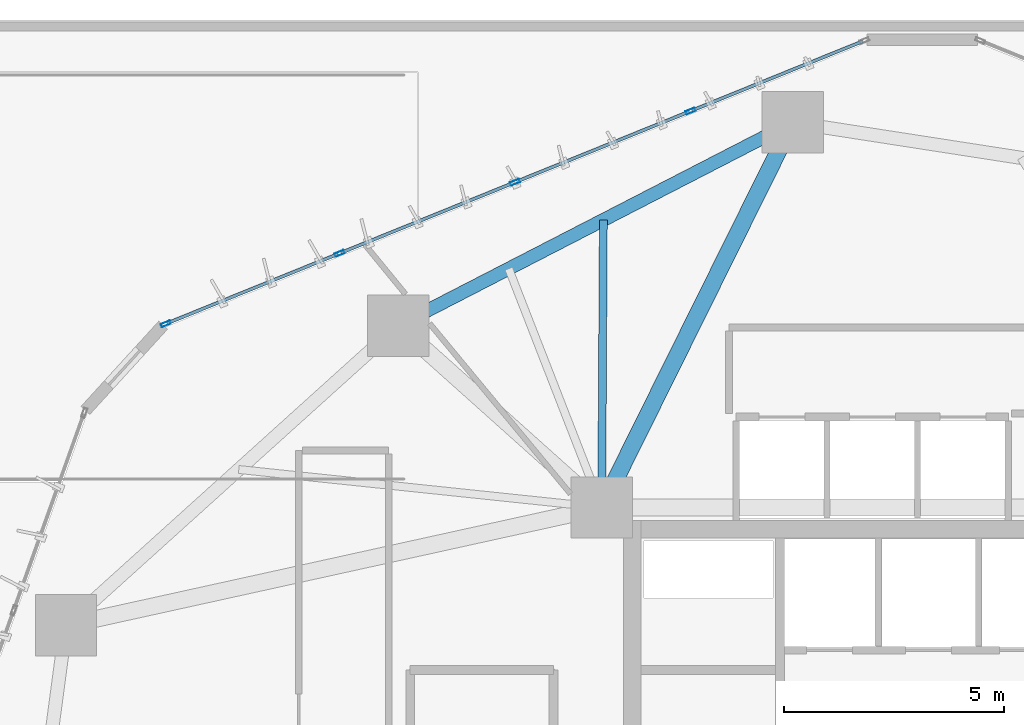
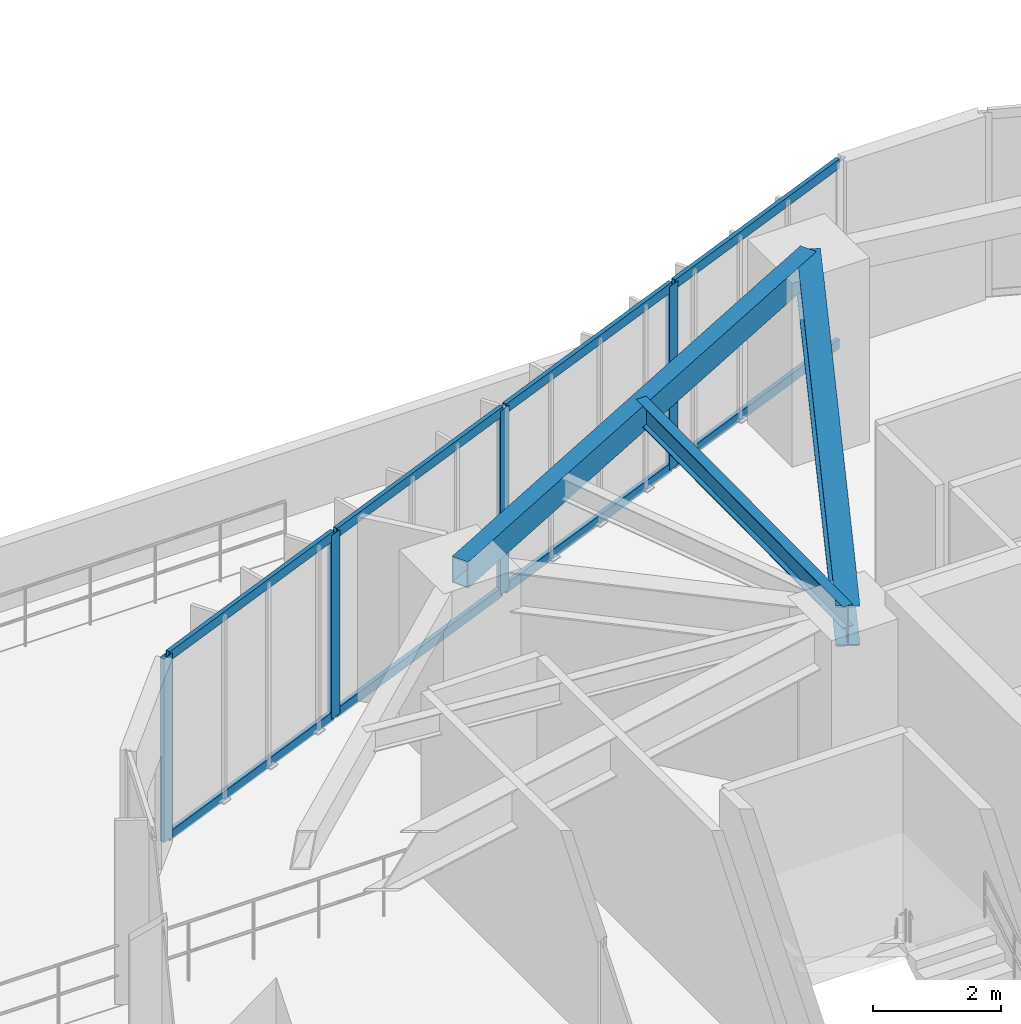
# One storey, part 14 of 23: 12 members, 3 beams, 1 element without a shape of its own.
"""IFC4 building model written with IfcOpenShell, lengths in metres."""

from ifc_helpers import new_model, si_unit, direction, frame, origin, origin_2d, place, context, subcontext, project, spatial, hollow_rectangle, i_section, extrude, source, transform, mapped, material, layer, layer_set, material_profile, profile_set, type_object, type_shapes, element, aggregate, save


model = new_model("IFC4")

# Units and contexts
model_context = context("Model", 3, precision=1e-05, world=origin(), true_north=direction((0.0, 1.0)))
body_context = subcontext(model_context, "Body", "Model", "MODEL_VIEW")
ifc_project = project(units=[si_unit("LENGTHUNIT", "METRE"), si_unit("AREAUNIT", "SQUARE_METRE"), si_unit("VOLUMEUNIT", "CUBIC_METRE"), si_unit("PLANEANGLEUNIT", "RADIAN"), si_unit("MASSUNIT", "GRAM", prefix="KILO")], contexts=[model_context])

# Site, building, storey
site_placement = place(None, origin())
site = spatial("IfcSite", under=ifc_project, at=site_placement, CompositionType="ELEMENT")
building_placement = place(site_placement, origin())
building = spatial("IfcBuilding", under=site, at=building_placement, Name="Talar Marvaseh", CompositionType="ELEMENT")
storey_placement = place(building_placement, frame((0.0, 0.0, 24.0)))
storey = spatial("IfcBuildingStorey", under=building, at=storey_placement, Name="L05", CompositionType="ELEMENT", Elevation=24.0)

# Beams
ifc_material_1 = material(Name="Steel S355", Category="steel")
ifc_material_profile_1 = material_profile(ifc_material_1, hollow_rectangle(XDim=0.300048828125, YDim=0.5, WallThickness=0.02001953125, at=origin_2d()), Name="RHS500x300x20")
ifc_profile_set_1 = profile_set([ifc_material_profile_1], Name="Steel S355")
beam_type_1 = type_object("IfcBeamType", Name="Zone 1 Perimeter Spandrel Beam RHS500x300x20", PredefinedType="SPANDREL", material=ifc_profile_set_1)
beam_1_placement = place(storey_placement, frame((14.069091796875, 41.04296875, 3.27001953125), z_axis=(0.889015710182, 0.457876694155, 0.0), x_axis=(-0.457876694155, 0.889015710182, 0.0)))
element("IfcBeam", 1, at=beam_1_placement, inside=storey, type_object=beam_type_1, Name="L05 Zone 1 Perimeter Spandrel Beam RHS500x300x20", PredefinedType="SPANDREL", context=body_context, shape_type="SweptSolid", body=[
    extrude(hollow_rectangle(XDim=0.300048828125, YDim=0.5, WallThickness=0.02001953125, at=origin_2d()), origin(), (0.0, 0.0, 1.0), 10.098876953125),
])
ifc_material_profile_2 = material_profile(ifc_material_1, i_section(OverallWidth=0.381103515625, OverallDepth=0.77294921875, WebThickness=0.0166015625, FlangeThickness=0.027099609375, at=origin_2d()), Name="W760x257")
ifc_profile_set_2 = profile_set([ifc_material_profile_2], Name="Steel S355")
beam_type_2 = type_object("IfcBeamType", Name="Zone 1 Radial Floor Girder W760x257", PredefinedType="BEAM", material=ifc_profile_set_2)
beam_2_placement = place(storey_placement, frame((23.047119140625, 45.6669921875, 3.133544921875), z_axis=(-0.444237233911, -0.895909191831, 0.0), x_axis=(0.895909191831, -0.444237233911, 0.0)))
element("IfcBeam", 2, at=beam_2_placement, inside=storey, type_object=beam_type_2, Name="L05 Zone 1 Radial Floor Girder W760x257", PredefinedType="BEAM", context=body_context, shape_type="SweptSolid", body=[
    extrude(i_section(OverallWidth=0.381103515625, OverallDepth=0.77294921875, WebThickness=0.0166015625, FlangeThickness=0.027099609375, at=origin_2d()), origin(), (0.0, 0.0, 1.0), 9.78564453125),
])
ifc_material_profile_3 = material_profile(ifc_material_1, i_section(OverallWidth=0.179931640625, OverallDepth=0.4130859375, WebThickness=0.009765625, FlangeThickness=0.01611328125, at=origin_2d()), Name="W410x75")
ifc_profile_set_3 = profile_set([ifc_material_profile_3], Name="Steel S355")
beam_type_3 = type_object("IfcBeamType", Name="Zone 1 Secondary Floor Joist W410x75", PredefinedType="JOIST", material=ifc_profile_set_3)
beam_3_placement = place(storey_placement, frame((18.737548828125, 43.447509765625, 3.3134765625), z_axis=(-0.00574210303, -0.999983513991, 0.0), x_axis=(0.999983513991, -0.00574210303, 0.0)))
element("IfcBeam", 3, at=beam_3_placement, inside=storey, type_object=beam_type_3, Name="L05 Zone 1 Secondary Floor Joist W410x75", PredefinedType="JOIST", context=body_context, shape_type="SweptSolid", body=[
    extrude(i_section(OverallWidth=0.179931640625, OverallDepth=0.4130859375, WebThickness=0.009765625, FlangeThickness=0.01611328125, at=origin_2d()), origin(), (0.0, 0.0, 1.0), 6.547607421875),
])

# Curtain wall, members
ifc_material_2 = material(Name="Architectural Aluminium", Category="aluminium")
ifc_layer = layer(ifc_material_2, 0.219970703125)
ifc_layer_set = layer_set([ifc_layer], Name="Architectural Aluminium")
curtain_wall_type = type_object("IfcCurtainWallType", Name="Unitised Low-E Museum Curtain Wall Z1", PredefinedType="NOTDEFINED", material=ifc_layer_set)
curtain_wall_placement = place(storey_placement, origin())
curtain_wall = element("IfcCurtainWall", 4, at=curtain_wall_placement, inside=storey, type_object=curtain_wall_type, Name="L05 Unitised Low-E Museum Curtain Wall Z1", PredefinedType="NOTDEFINED")
ifc_material_profile_4 = material_profile(ifc_material_2, hollow_rectangle(XDim=0.080078125, YDim=0.219970703125, WallThickness=0.0048828125, at=origin_2d()), Name="RHS220x80x5")
ifc_profile_set_4 = profile_set([ifc_material_profile_4], Name="Architectural Aluminium")
member_type_1 = type_object("IfcMemberType", Name="Unitised Curtain Wall Heavy Mullion RHS220x80x5", PredefinedType="MULLION", material=ifc_profile_set_4)
shared_shape_1 = source(origin(), body_context, "Body", "SweptSolid", [
    extrude(hollow_rectangle(XDim=0.080078125, YDim=0.219970703125, WallThickness=0.0048828125, at=origin_2d()), origin(), (0.0, 0.0, 1.0), 3.52001953125),
])
type_shapes(member_type_1, [shared_shape_1])
member_1_placement = place(storey_placement, frame((8.7724609375, 41.08056640625, 0.0), z_axis=(0.0, 0.0, 1.0), x_axis=(-0.375705108733, 0.926739268226, 0.0)))
member_1 = element("IfcMember", 5, at=member_1_placement, type_object=member_type_1, Name="CW-Z1 mullion 1", PredefinedType="MULLION", context=body_context, shape_type="MappedRepresentation", body=[
    mapped(shared_shape_1, transform((0.0, 0.0, 0.0), x_axis=(1.0, 0.0, 0.0), y_axis=(0.0, 1.0, 0.0), z_axis=(0.0, 0.0, 1.0), scale=1.0)),
])
member_2_placement = place(storey_placement, frame((12.7314453125, 42.685546875, 0.0), z_axis=(0.0, 0.0, 1.0), x_axis=(-0.375705108733, 0.926739268226, 0.0)))
member_2 = element("IfcMember", 6, at=member_2_placement, type_object=member_type_1, Name="CW-Z1 mullion 2", PredefinedType="MULLION", context=body_context, shape_type="MappedRepresentation", body=[
    mapped(shared_shape_1, transform((0.0, 0.0, 0.0), x_axis=(1.0, 0.0, 0.0), y_axis=(0.0, 1.0, 0.0), z_axis=(0.0, 0.0, 1.0), scale=1.0)),
])
member_3_placement = place(storey_placement, frame((16.7275390625, 44.3056640625, 0.0), z_axis=(0.0, 0.0, 1.0), x_axis=(-0.375705108733, 0.926739268226, 0.0)))
member_3 = element("IfcMember", 7, at=member_3_placement, type_object=member_type_1, Name="CW-Z1 mullion 3", PredefinedType="MULLION", context=body_context, shape_type="MappedRepresentation", body=[
    mapped(shared_shape_1, transform((0.0, 0.0, 0.0), x_axis=(1.0, 0.0, 0.0), y_axis=(0.0, 1.0, 0.0), z_axis=(0.0, 0.0, 1.0), scale=1.0)),
])
member_4_placement = place(storey_placement, frame((20.723388671875, 45.925537109375, 0.0), z_axis=(0.0, 0.0, 1.0), x_axis=(-0.375705108733, 0.926739268226, 0.0)))
member_4 = element("IfcMember", 8, at=member_4_placement, type_object=member_type_1, Name="CW-Z1 mullion 4", PredefinedType="MULLION", context=body_context, shape_type="MappedRepresentation", body=[
    mapped(shared_shape_1, transform((0.0, 0.0, 0.0), x_axis=(1.0, 0.0, 0.0), y_axis=(0.0, 1.0, 0.0), z_axis=(0.0, 0.0, 1.0), scale=1.0)),
])
ifc_material_profile_5 = material_profile(ifc_material_2, hollow_rectangle(XDim=0.074951171875, YDim=0.179931640625, WallThickness=0.0048828125, at=origin_2d()), Name="RHS180x75x5")
ifc_profile_set_5 = profile_set([ifc_material_profile_5], Name="Architectural Aluminium")
member_type_2 = type_object("IfcMemberType", Name="Unitised Curtain Wall Transom RHS180x75x5", PredefinedType="USERDEFINED", material=ifc_profile_set_5)
shared_shape_2 = source(origin(), body_context, "Body", "SweptSolid", [
    extrude(hollow_rectangle(XDim=0.074951171875, YDim=0.179931640625, WallThickness=0.0048828125, at=origin_2d()), origin(), (0.0, 0.0, 1.0), 4.19189453125),
])
member_5_placement = place(storey_placement, frame((8.8095703125, 41.095703125, 0.03759765625), z_axis=(0.926735431704, 0.375714572016, 0.0), x_axis=(-0.375714572016, 0.926735431704, 0.0)))
member_5 = element("IfcMember", 9, at=member_5_placement, type_object=member_type_2, Name="CW-Z1 transom 1.1", ObjectType="TRANSOM", PredefinedType="USERDEFINED", context=body_context, shape_type="MappedRepresentation", body=[
    mapped(shared_shape_2, transform((0.0, 0.0, 0.0), x_axis=(1.0, 0.0, 0.0), y_axis=(0.0, 1.0, 0.0), z_axis=(0.0, 0.0, 1.0), scale=1.0)),
])
member_6_placement = place(storey_placement, frame((8.8095703125, 41.095703125, 3.482421875), z_axis=(0.926735431704, 0.375714572016, 0.0), x_axis=(-0.375714572016, 0.926735431704, 0.0)))
member_6 = element("IfcMember", 10, at=member_6_placement, type_object=member_type_2, Name="CW-Z1 transom 1.2", ObjectType="TRANSOM", PredefinedType="USERDEFINED", context=body_context, shape_type="MappedRepresentation", body=[
    mapped(shared_shape_2, transform((0.0, 0.0, 0.0), x_axis=(1.0, 0.0, 0.0), y_axis=(0.0, 1.0, 0.0), z_axis=(0.0, 0.0, 1.0), scale=1.0)),
])
member_7_placement = place(storey_placement, frame((20.760498046875, 45.940673828125, 0.03759765625), z_axis=(0.926735431704, 0.375714572016, 0.0), x_axis=(-0.375714572016, 0.926735431704, 0.0)))
member_7 = element("IfcMember", 11, at=member_7_placement, type_object=member_type_2, Name="CW-Z1 transom 4.1", ObjectType="TRANSOM", PredefinedType="USERDEFINED", context=body_context, shape_type="MappedRepresentation", body=[
    mapped(shared_shape_2, transform((0.0, 0.0, 0.0), x_axis=(1.0, 0.0, 0.0), y_axis=(0.0, 1.0, 0.0), z_axis=(0.0, 0.0, 1.0), scale=1.0)),
])
member_8_placement = place(storey_placement, frame((20.760498046875, 45.940673828125, 3.482421875), z_axis=(0.926735431704, 0.375714572016, 0.0), x_axis=(-0.375714572016, 0.926735431704, 0.0)))
member_8 = element("IfcMember", 12, at=member_8_placement, type_object=member_type_2, Name="CW-Z1 transom 4.2", ObjectType="TRANSOM", PredefinedType="USERDEFINED", context=body_context, shape_type="MappedRepresentation", body=[
    mapped(shared_shape_2, transform((0.0, 0.0, 0.0), x_axis=(1.0, 0.0, 0.0), y_axis=(0.0, 1.0, 0.0), z_axis=(0.0, 0.0, 1.0), scale=1.0)),
])
shared_shape_3 = source(origin(), body_context, "Body", "SweptSolid", [
    extrude(hollow_rectangle(XDim=0.074951171875, YDim=0.179931640625, WallThickness=0.0048828125, at=origin_2d()), origin(), (0.0, 0.0, 1.0), 4.23193359375),
])
type_shapes(member_type_2, [shared_shape_2, shared_shape_3])
member_9_placement = place(storey_placement, frame((12.7685546875, 42.70068359375, 0.03759765625), z_axis=(0.926747954197, 0.375683682627, 0.0), x_axis=(-0.375683682627, 0.926747954197, 0.0)))
member_9 = element("IfcMember", 13, at=member_9_placement, type_object=member_type_2, Name="CW-Z1 transom 2.1", ObjectType="TRANSOM", PredefinedType="USERDEFINED", context=body_context, shape_type="MappedRepresentation", body=[
    mapped(shared_shape_3, transform((0.0, 0.0, 0.0), x_axis=(1.0, 0.0, 0.0), y_axis=(0.0, 1.0, 0.0), z_axis=(0.0, 0.0, 1.0), scale=1.0)),
])
member_10_placement = place(storey_placement, frame((12.7685546875, 42.70068359375, 3.482421875), z_axis=(0.926747954197, 0.375683682627, 0.0), x_axis=(-0.375683682627, 0.926747954197, 0.0)))
member_10 = element("IfcMember", 14, at=member_10_placement, type_object=member_type_2, Name="CW-Z1 transom 2.2", ObjectType="TRANSOM", PredefinedType="USERDEFINED", context=body_context, shape_type="MappedRepresentation", body=[
    mapped(shared_shape_3, transform((0.0, 0.0, 0.0), x_axis=(1.0, 0.0, 0.0), y_axis=(0.0, 1.0, 0.0), z_axis=(0.0, 0.0, 1.0), scale=1.0)),
])
member_11_placement = place(storey_placement, frame((16.7646484375, 44.320556640625, 0.03759765625), z_axis=(0.926727867379, 0.375733229597, 0.0), x_axis=(-0.375733229597, 0.926727867379, 0.0)))
member_11 = element("IfcMember", 15, at=member_11_placement, type_object=member_type_2, Name="CW-Z1 transom 3.1", ObjectType="TRANSOM", PredefinedType="USERDEFINED", context=body_context, shape_type="MappedRepresentation", body=[
    mapped(shared_shape_3, transform((0.0, 0.0, 0.0), x_axis=(1.0, 0.0, 0.0), y_axis=(0.0, 1.0, 0.0), z_axis=(0.0, 0.0, 1.0), scale=1.0)),
])
member_12_placement = place(storey_placement, frame((16.7646484375, 44.320556640625, 3.482421875), z_axis=(0.926727867379, 0.375733229597, 0.0), x_axis=(-0.375733229597, 0.926727867379, 0.0)))
member_12 = element("IfcMember", 16, at=member_12_placement, type_object=member_type_2, Name="CW-Z1 transom 3.2", ObjectType="TRANSOM", PredefinedType="USERDEFINED", context=body_context, shape_type="MappedRepresentation", body=[
    mapped(shared_shape_3, transform((0.0, 0.0, 0.0), x_axis=(1.0, 0.0, 0.0), y_axis=(0.0, 1.0, 0.0), z_axis=(0.0, 0.0, 1.0), scale=1.0)),
])
aggregate(curtain_wall, [member_1, member_2, member_3, member_4, member_5, member_6, member_9, member_10, member_11, member_12, member_7, member_8])

save(model, "model.ifc")
